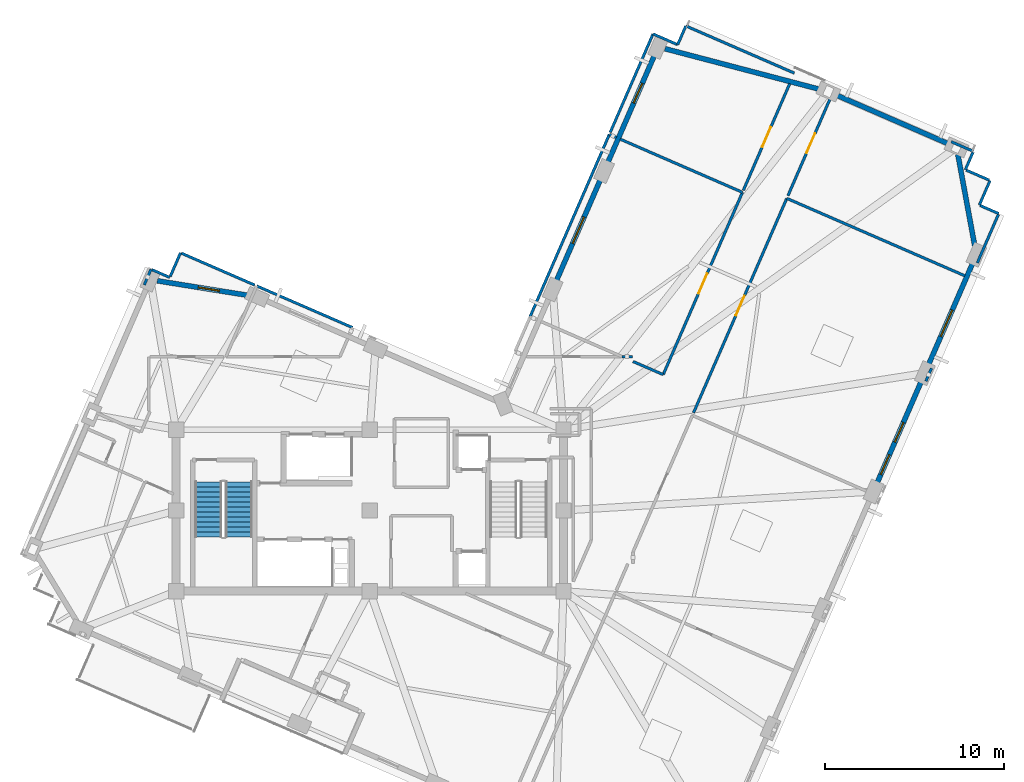
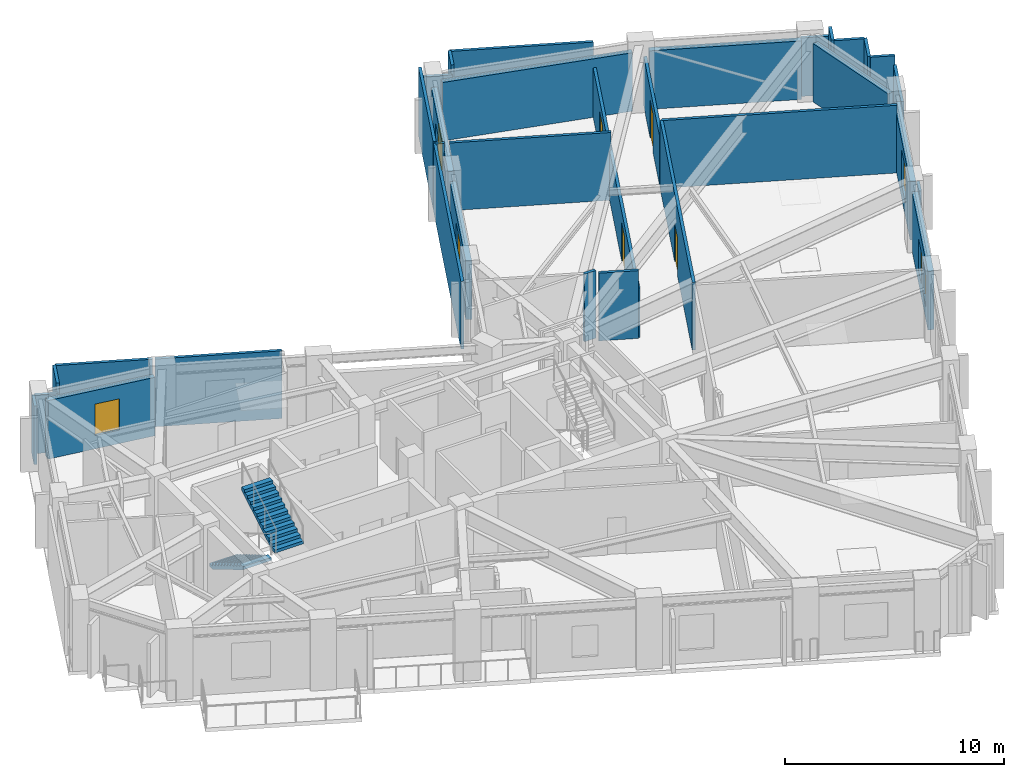
# One storey, part 7 of 12: 34 walls, 6 windows, 4 doors, 2 stair flights, 10 openings, 1 element without a shape of its own.
"""IFC4 building model written with IfcOpenShell, lengths in metres."""

from ifc_helpers import new_model, si_unit, direction, frame, frame_2d, origin, place, context, subcontext, project, spatial, polyline, rectangle, outline, extrude, material, layer, layer_set, type_object, element, fill, aggregate, save


model = new_model("IFC4")

# Units and contexts
model_context = context("Model", 3, precision=1e-05, world=origin(), true_north=direction((0.0, 1.0)))
body_context = subcontext(model_context, "Body", "Model", "MODEL_VIEW")
ifc_project = project(units=[si_unit("LENGTHUNIT", "METRE"), si_unit("AREAUNIT", "SQUARE_METRE"), si_unit("VOLUMEUNIT", "CUBIC_METRE"), si_unit("PLANEANGLEUNIT", "RADIAN"), si_unit("MASSUNIT", "GRAM", prefix="KILO")], contexts=[model_context])

# Site, building, storey
site_placement = place(None, origin())
site = spatial("IfcSite", under=ifc_project, at=site_placement, CompositionType="ELEMENT")
building_placement = place(site_placement, origin())
building = spatial("IfcBuilding", under=site, at=building_placement, Name="Gaonmaruhae Medical Tower", CompositionType="ELEMENT")
storey_placement = place(building_placement, frame((0.0, 0.0, 312.60009765625)))
storey = spatial("IfcBuildingStorey", under=building, at=storey_placement, Name="L75", CompositionType="ELEMENT", Elevation=312.60009765625)

# Wall, openings, windows
ifc_material_1 = material(Name="Precast concrete C45/55", Category="concrete")
ifc_layer_1 = layer(ifc_material_1, 0.280029296875)
ifc_layer_set_1 = layer_set([ifc_layer_1], Name="Precast concrete C45/55")
wall_type_1 = type_object("IfcWallType", Name="EW-280 Upper Precast Masonry-Frame Facade Wall", PredefinedType="SOLIDWALL", material=ifc_layer_set_1)
wall_1_placement = place(storey_placement, frame((55.6005859375, 19.598388671875, 0.0), z_axis=(0.0, 0.0, 1.0), x_axis=(-0.398744230651, -0.917062178112, 0.0)))
wall_1 = element("IfcWall", 1, at=wall_1_placement, inside=storey, type_object=wall_type_1, Name="L75 Precast Masonry-Frame Wall S04-S05", PredefinedType="SOLIDWALL", context=body_context, shape_type="SweptSolid", body=[
    extrude(rectangle(XDim=6.405029296875, YDim=0.280029296875, at=frame_2d((3.20263671875, 0.0))), origin(), (0.0, 0.0, 1.0), 3.264892578125),
])
opening_1_placement = place(wall_1_placement, frame((2.602294921875, 0.0, 0.75)))
opening_1 = element("IfcOpeningElement", 2, at=opening_1_placement, cuts=wall_1, Name="Opening WN-05", PredefinedType="OPENING", context=body_context, shape_type="SweptSolid", body=[
    extrude(rectangle(XDim=1.199951171875, YDim=1.75, at=frame_2d((0.60009765625, 0.875))), frame((0.0, 0.14990234375, 0.0), z_axis=(0.0, -1.0, 0.0), x_axis=(1.0, 0.0, 0.0)), (0.0, 0.0, 1.0), 0.300048828125),
])
opening_2_placement = place(wall_1_placement, frame((4.568603515625, 0.0, 0.75)))
opening_2 = element("IfcOpeningElement", 3, at=opening_2_placement, cuts=wall_1, Name="Opening WN-05", PredefinedType="OPENING", context=body_context, shape_type="SweptSolid", body=[
    extrude(rectangle(XDim=1.199951171875, YDim=1.75, at=frame_2d((0.60009765625, 0.875))), frame((0.0, 0.14990234375, 0.0), z_axis=(0.0, -1.0, 0.0), x_axis=(1.0, 0.0, 0.0)), (0.0, 0.0, 1.0), 0.300048828125),
])
ifc_material_2 = material(Name="Anodised aluminium and Low-E double glazing", Category="aluminium")
window_type_1 = type_object("IfcWindowType", Name="WN-05 Support & Staff Punched Window 1200x1750", PartitioningType="SINGLE_PANEL", PredefinedType="WINDOW", material=ifc_material_2)
window_1_placement = place(opening_1_placement, origin())
window_1 = element("IfcWindow", 4, at=window_1_placement, inside=storey, type_object=window_type_1, Name="L75 Modular Facade Window S04", OverallHeight=1.75, OverallWidth=1.199951171875, PartitioningType="SINGLE_PANEL", PredefinedType="WINDOW", context=body_context, shape_type="SweptSolid", body=[
    extrude(rectangle(XDim=1.199951171875, YDim=1.75, at=frame_2d((0.60009765625, 0.875))), frame((0.0, 0.030029296875, 0.0), z_axis=(0.0, -1.0, 0.0), x_axis=(1.0, 0.0, 0.0)), (0.0, 0.0, 1.0), 0.06005859375),
])
fill(opening_1, window_1)
window_2_placement = place(opening_2_placement, origin())
window_2 = element("IfcWindow", 5, at=window_2_placement, inside=storey, type_object=window_type_1, Name="L75 Modular Facade Window S04B", OverallHeight=1.75, OverallWidth=1.199951171875, PartitioningType="SINGLE_PANEL", PredefinedType="WINDOW", context=body_context, shape_type="SweptSolid", body=[
    extrude(rectangle(XDim=1.199951171875, YDim=1.75, at=frame_2d((0.60009765625, 0.875))), frame((0.0, 0.030029296875, 0.0), z_axis=(0.0, -1.0, 0.0), x_axis=(1.0, 0.0, 0.0)), (0.0, 0.0, 1.0), 0.06005859375),
])
fill(opening_2, window_2)

# Wall, opening, window
wall_2_placement = place(storey_placement, frame((58.4716796875, 26.201171875, 0.0), z_axis=(0.0, 0.0, 1.0), x_axis=(-0.398776286617, -0.917048239316, 0.0)))
wall_2 = element("IfcWall", 6, at=wall_2_placement, inside=storey, type_object=wall_type_1, Name="L75 Precast Masonry-Frame Wall S05-S06", PredefinedType="SOLIDWALL", context=body_context, shape_type="SweptSolid", body=[
    extrude(rectangle(XDim=6.405029296875, YDim=0.280029296875, at=frame_2d((3.20263671875, 0.0))), origin(), (0.0, 0.0, 1.0), 3.264892578125),
])
opening_3_placement = place(wall_2_placement, frame((2.976318359375, 0.0, 0.75)))
opening_3 = element("IfcOpeningElement", 7, at=opening_3_placement, cuts=wall_2, Name="Opening WN-01", PredefinedType="OPENING", context=body_context, shape_type="SweptSolid", body=[
    extrude(rectangle(XDim=1.60009765625, YDim=1.949951171875, at=frame_2d((0.800048828125, 0.97509765625))), frame((0.0, 0.14990234375, 0.0), z_axis=(0.0, -1.0, 0.0), x_axis=(1.0, 0.0, 0.0)), (0.0, 0.0, 1.0), 0.300048828125),
])
window_type_2 = type_object("IfcWindowType", Name="WN-01 Ward Punched Acoustic Window 1600x1950", PartitioningType="SINGLE_PANEL", PredefinedType="WINDOW", material=ifc_material_2)
window_3_placement = place(opening_3_placement, origin())
window_3 = element("IfcWindow", 8, at=window_3_placement, inside=storey, type_object=window_type_2, Name="L75 Modular Facade Window S05", OverallHeight=1.949951171875, OverallWidth=1.60009765625, PartitioningType="SINGLE_PANEL", PredefinedType="WINDOW", context=body_context, shape_type="SweptSolid", body=[
    extrude(rectangle(XDim=1.60009765625, YDim=1.949951171875, at=frame_2d((0.800048828125, 0.97509765625))), frame((0.0, 0.030029296875, 0.0), z_axis=(0.0, -1.0, 0.0), x_axis=(1.0, 0.0, 0.0)), (0.0, 0.0, 1.0), 0.06005859375),
])
fill(opening_3, window_3)

# Walls
wall_3_placement = place(storey_placement, frame((57.597900390625, 32.16162109375, 0.0), z_axis=(0.0, 0.0, 1.0), x_axis=(0.181421889976, -0.983405357845, 0.0)))
element("IfcWall", 9, at=wall_3_placement, inside=storey, type_object=wall_type_1, Name="L75 Precast Masonry-Frame Wall S06-E01", PredefinedType="SOLIDWALL", context=body_context, shape_type="SweptSolid", body=[
    extrude(rectangle(XDim=5.292724609375, YDim=0.280029296875, at=frame_2d((2.646484375, 0.0))), origin(), (0.0, 0.0, 1.0), 3.264892578125),
])
wall_4_placement = place(storey_placement, frame((50.7373046875, 35.50439453125, 0.0), z_axis=(0.0, 0.0, 1.0), x_axis=(0.917057311373, -0.398755423359, 0.0)))
element("IfcWall", 10, at=wall_4_placement, inside=storey, type_object=wall_type_1, Name="L75 Precast Masonry-Frame Wall E01-E02", PredefinedType="SOLIDWALL", context=body_context, shape_type="SweptSolid", body=[
    extrude(rectangle(XDim=7.0048828125, YDim=0.280029296875, at=frame_2d((3.50244140625, 0.0))), origin(), (0.0, 0.0, 1.0), 3.264892578125),
])
wall_5_placement = place(storey_placement, frame((41.263671875, 38.05419921875, 0.0), z_axis=(0.0, 0.0, 1.0), x_axis=(0.967228971308, -0.253905724755, 0.0)))
element("IfcWall", 11, at=wall_5_placement, inside=storey, type_object=wall_type_1, Name="L75 Precast Masonry-Frame Wall E02-E03", PredefinedType="SOLIDWALL", context=body_context, shape_type="SweptSolid", body=[
    extrude(rectangle(XDim=9.020263671875, YDim=0.280029296875, at=frame_2d((4.51025390625, 0.0))), origin(), (0.0, 0.0, 1.0), 3.264892578125),
])

# Wall, opening, window
wall_6_placement = place(storey_placement, frame((38.027099609375, 31.595947265625, 0.0), z_axis=(0.0, 0.0, 1.0), x_axis=(0.398764437463, 0.917053391802, 0.0)))
wall_6 = element("IfcWall", 12, at=wall_6_placement, inside=storey, type_object=wall_type_1, Name="L75 Precast Masonry-Frame Wall E03-EN01", PredefinedType="SOLIDWALL", context=body_context, shape_type="SweptSolid", body=[
    extrude(rectangle(XDim=6.7548828125, YDim=0.280029296875, at=frame_2d((3.37744140625, 0.0))), origin(), (0.0, 0.0, 1.0), 3.264892578125),
])
opening_4_placement = place(wall_6_placement, frame((3.738037109375, 0.0, 0.75)))
opening_4 = element("IfcOpeningElement", 13, at=opening_4_placement, cuts=wall_6, Name="Opening WN-05", PredefinedType="OPENING", context=body_context, shape_type="SweptSolid", body=[
    extrude(rectangle(XDim=1.199951171875, YDim=1.75, at=frame_2d((0.60009765625, 0.875))), frame((0.0, 0.14990234375, 0.0), z_axis=(0.0, -1.0, 0.0), x_axis=(1.0, 0.0, 0.0)), (0.0, 0.0, 1.0), 0.300048828125),
])
window_4_placement = place(opening_4_placement, origin())
window_4 = element("IfcWindow", 14, at=window_4_placement, inside=storey, type_object=window_type_1, Name="L75 Modular Facade Window E03", OverallHeight=1.75, OverallWidth=1.199951171875, PartitioningType="SINGLE_PANEL", PredefinedType="WINDOW", context=body_context, shape_type="SweptSolid", body=[
    extrude(rectangle(XDim=1.199951171875, YDim=1.75, at=frame_2d((0.60009765625, 0.875))), frame((0.0, 0.030029296875, 0.0), z_axis=(0.0, -1.0, 0.0), x_axis=(1.0, 0.0, 0.0)), (0.0, 0.0, 1.0), 0.06005859375),
])
fill(opening_4, window_4)

wall_7_placement = place(storey_placement, frame((35.156005859375, 24.9931640625, 0.0), z_axis=(0.0, 0.0, 1.0), x_axis=(0.398758169539, 0.917056117272, 0.0)))
wall_7 = element("IfcWall", 15, at=wall_7_placement, inside=storey, type_object=wall_type_1, Name="L75 Precast Masonry-Frame Wall EN01-EN02", PredefinedType="SOLIDWALL", context=body_context, shape_type="SweptSolid", body=[
    extrude(rectangle(XDim=6.40478515625, YDim=0.280029296875, at=frame_2d((3.202392578125, 0.0))), origin(), (0.0, 0.0, 1.0), 3.264892578125),
])
opening_5_placement = place(wall_7_placement, frame((2.40234375, 0.0, 0.75)))
opening_5 = element("IfcOpeningElement", 16, at=opening_5_placement, cuts=wall_7, Name="Opening WN-01", PredefinedType="OPENING", context=body_context, shape_type="SweptSolid", body=[
    extrude(rectangle(XDim=1.60009765625, YDim=1.949951171875, at=frame_2d((0.800048828125, 0.97509765625))), frame((0.0, 0.14990234375, 0.0), z_axis=(0.0, -1.0, 0.0), x_axis=(1.0, 0.0, 0.0)), (0.0, 0.0, 1.0), 0.300048828125),
])
window_5_placement = place(opening_5_placement, origin())
window_5 = element("IfcWindow", 17, at=window_5_placement, inside=storey, type_object=window_type_2, Name="L75 Modular Facade Window EN01", OverallHeight=1.949951171875, OverallWidth=1.60009765625, PartitioningType="SINGLE_PANEL", PredefinedType="WINDOW", context=body_context, shape_type="SweptSolid", body=[
    extrude(rectangle(XDim=1.60009765625, YDim=1.949951171875, at=frame_2d((0.800048828125, 0.97509765625))), frame((0.0, 0.030029296875, 0.0), z_axis=(0.0, -1.0, 0.0), x_axis=(1.0, 0.0, 0.0)), (0.0, 0.0, 1.0), 0.06005859375),
])
fill(opening_5, window_5)

wall_8_placement = place(storey_placement, frame((12.94580078125, 25.1103515625, 0.0), z_axis=(0.0, 0.0, 1.0), x_axis=(0.987363821305, -0.158469821666, 0.0)))
wall_8 = element("IfcWall", 18, at=wall_8_placement, inside=storey, type_object=wall_type_1, Name="L75 Precast Masonry-Frame Wall NE02-N01", PredefinedType="SOLIDWALL", context=body_context, shape_type="SweptSolid", body=[
    extrude(rectangle(XDim=5.244140625, YDim=0.280029296875, at=frame_2d((2.6220703125, 0.0))), origin(), (0.0, 0.0, 1.0), 3.264892578125),
])
opening_6_placement = place(wall_8_placement, frame((2.313720703125, 0.0, 0.75)))
opening_6 = element("IfcOpeningElement", 19, at=opening_6_placement, cuts=wall_8, Name="Opening WN-05", PredefinedType="OPENING", context=body_context, shape_type="SweptSolid", body=[
    extrude(rectangle(XDim=1.199951171875, YDim=1.75, at=frame_2d((0.60009765625, 0.875))), frame((0.0, 0.14990234375, 0.0), z_axis=(0.0, -1.0, 0.0), x_axis=(1.0, 0.0, 0.0)), (0.0, 0.0, 1.0), 0.300048828125),
])
window_6_placement = place(opening_6_placement, origin())
window_6 = element("IfcWindow", 20, at=window_6_placement, inside=storey, type_object=window_type_1, Name="L75 Modular Facade Window NE02", OverallHeight=1.75, OverallWidth=1.199951171875, PartitioningType="SINGLE_PANEL", PredefinedType="WINDOW", context=body_context, shape_type="SweptSolid", body=[
    extrude(rectangle(XDim=1.199951171875, YDim=1.75, at=frame_2d((0.60009765625, 0.875))), frame((0.0, 0.030029296875, 0.0), z_axis=(0.0, -1.0, 0.0), x_axis=(1.0, 0.0, 0.0)), (0.0, 0.0, 1.0), 0.06005859375),
])
fill(opening_6, window_6)

# Wall, opening, door
ifc_material_3 = material(Name="Gypsum board partition", Category="gypsum")
ifc_layer_2 = layer(ifc_material_3, 0.14990234375)
ifc_layer_set_2 = layer_set([ifc_layer_2], Name="Gypsum board partition")
wall_type_2 = type_object("IfcWallType", Name="PW-150 Rated Clinical Corridor Partition", PredefinedType="PARTITIONING", material=ifc_layer_set_2)
wall_9_placement = place(storey_placement, frame((42.85595703125, 17.7490234375, 0.0), z_axis=(0.0, 0.0, 1.0), x_axis=(0.398751440491, 0.917059043195, 0.0)))
wall_9 = element("IfcWall", 21, at=wall_9_placement, inside=storey, type_object=wall_type_2, Name="L75 Interior Partition L75-SUP03-21", PredefinedType="PARTITIONING", context=body_context, shape_type="SweptSolid", body=[
    extrude(rectangle(XDim=13.04052734375, YDim=0.14990234375, at=frame_2d((6.520263671875, 0.0))), origin(), (0.0, 0.0, 1.0), 3.77978515625),
])
opening_7_placement = place(wall_9_placement, frame((5.92041015625, 0.0, 0.0)))
opening_7 = element("IfcOpeningElement", 22, at=opening_7_placement, cuts=wall_9, Name="Opening CD-02", PredefinedType="OPENING", context=body_context, shape_type="SweptSolid", body=[
    extrude(rectangle(XDim=1.199951171875, YDim=2.14990234375, at=frame_2d((0.60009765625, 1.074951171875))), frame((0.0, 0.0849609375, 0.0), z_axis=(0.0, -1.0, 0.0), x_axis=(1.0, 0.0, 0.0)), (0.0, 0.0, 1.0), 0.169921875),
])
ifc_material_4 = material(Name="Antimicrobial laminate timber fire door", Category="wood")
door_type = type_object("IfcDoorType", Name="CD-02 Clinical Treatment & Procedure Door 1200x2150", OperationType="NOTDEFINED", PredefinedType="DOOR", material=ifc_material_4)
door_1_placement = place(opening_7_placement, origin())
door_1 = element("IfcDoor", 23, at=door_1_placement, inside=storey, type_object=door_type, Name="L75 Clinical Biomedical Charting Office Door", OperationType="SINGLE_SWING_LEFT", OverallHeight=2.14990234375, OverallWidth=1.199951171875, PredefinedType="DOOR", context=body_context, shape_type="SweptSolid", body=[
    extrude(rectangle(XDim=1.199951171875, YDim=2.14990234375, at=frame_2d((0.60009765625, 1.074951171875))), frame((0.0, 0.02490234375, 0.0), z_axis=(0.0, -1.0, 0.0), x_axis=(1.0, 0.0, 0.0)), (0.0, 0.0, 1.0), 0.050048828125),
])
fill(opening_7, door_1)

# Walls
wall_10_placement = place(storey_placement, frame((48.055908203125, 29.7080078125, 0.0), z_axis=(0.0, 0.0, 1.0), x_axis=(0.917068265028, -0.398730231207, 0.0)))
element("IfcWall", 24, at=wall_10_placement, inside=storey, type_object=wall_type_2, Name="L75 Interior Partition L75-SUP03-22", PredefinedType="PARTITIONING", context=body_context, shape_type="SweptSolid", body=[
    extrude(rectangle(XDim=10.83447265625, YDim=0.14990234375, at=frame_2d((5.417236328125, 0.0))), origin(), (0.0, 0.0, 1.0), 3.77978515625),
])
wall_11_placement = place(storey_placement, frame((56.12890625, 20.236083984375, 0.0), z_axis=(0.0, 0.0, 1.0), x_axis=(-0.398658726612, -0.91709935105, 0.0)))
element("IfcWall", 25, at=wall_11_placement, inside=storey, type_object=wall_type_2, Name="L75 Interior Partition L75-SUP03-23", PredefinedType="PARTITIONING", context=body_context, shape_type="SweptSolid", body=[
    extrude(rectangle(XDim=0.794921875, YDim=0.14990234375, at=frame_2d((0.3974609375, 0.0))), origin(), (0.0, 0.0, 1.0), 3.264892578125),
])
wall_12_placement = place(storey_placement, frame((59.39404296875, 30.7041015625, 0.0), z_axis=(0.0, 0.0, 1.0), x_axis=(-0.398904712107, -0.916992383097, 0.0)))
element("IfcWall", 26, at=wall_12_placement, inside=storey, type_object=wall_type_2, Name="L75 Interior Partition L75-SUP04-24", PredefinedType="PARTITIONING", context=body_context, shape_type="SweptSolid", body=[
    extrude(rectangle(XDim=1.49951171875, YDim=0.14990234375, at=frame_2d((0.749755859375, 0.0))), origin(), (0.0, 0.0, 1.0), 3.77978515625),
])
wall_13_placement = place(storey_placement, frame((58.842041015625, 29.30908203125, 0.0), z_axis=(0.0, 0.0, 1.0), x_axis=(0.916815661373, -0.399310709926, 0.0)))
element("IfcWall", 27, at=wall_13_placement, inside=storey, type_object=wall_type_2, Name="L75 Interior Partition L75-SUP04-25", PredefinedType="PARTITIONING", context=body_context, shape_type="SweptSolid", body=[
    extrude(rectangle(XDim=1.1298828125, YDim=0.14990234375, at=frame_2d((0.56494140625, 0.0))), origin(), (0.0, 0.0, 1.0), 3.77978515625),
])
wall_14_placement = place(storey_placement, frame((59.85791015625, 28.81201171875, 0.0), z_axis=(0.0, 0.0, 1.0), x_axis=(-0.399092651862, -0.916910603728, 0.0)))
element("IfcWall", 28, at=wall_14_placement, inside=storey, type_object=wall_type_2, Name="L75 Interior Partition L75-SUP04-26", PredefinedType="PARTITIONING", context=body_context, shape_type="SweptSolid", body=[
    extrude(rectangle(XDim=2.94677734375, YDim=0.14990234375, at=frame_2d((1.473388671875, 0.0))), origin(), (0.0, 0.0, 1.0), 3.264892578125),
])

# Wall, opening, door
wall_15_placement = place(storey_placement, frame((48.1201171875, 29.85400390625, 0.0), z_axis=(0.0, 0.0, 1.0), x_axis=(0.398700984872, 0.917080980428, 0.0)))
wall_15 = element("IfcWall", 29, at=wall_15_placement, inside=storey, type_object=wall_type_2, Name="L75 Interior Partition L75-SUP04-27", PredefinedType="PARTITIONING", context=body_context, shape_type="SweptSolid", body=[
    extrude(rectangle(XDim=6.395263671875, YDim=0.14990234375, at=frame_2d((3.19775390625, 0.0))), origin(), (0.0, 0.0, 1.0), 2.764892578125),
])
opening_8_placement = place(wall_15_placement, frame((2.59765625, 0.0, 0.0)))
opening_8 = element("IfcOpeningElement", 30, at=opening_8_placement, cuts=wall_15, Name="Opening CD-02", PredefinedType="OPENING", context=body_context, shape_type="SweptSolid", body=[
    extrude(rectangle(XDim=1.199951171875, YDim=2.14990234375, at=frame_2d((0.60009765625, 1.074951171875))), frame((0.0, 0.0849609375, 0.0), z_axis=(0.0, -1.0, 0.0), x_axis=(1.0, 0.0, 0.0)), (0.0, 0.0, 1.0), 0.169921875),
])
door_2_placement = place(opening_8_placement, origin())
door_2 = element("IfcDoor", 31, at=door_2_placement, inside=storey, type_object=door_type, Name="L75 Clinical Biomedical Charting Office Door", OperationType="SINGLE_SWING_LEFT", OverallHeight=2.14990234375, OverallWidth=1.199951171875, PredefinedType="DOOR", context=body_context, shape_type="SweptSolid", body=[
    extrude(rectangle(XDim=1.199951171875, YDim=2.14990234375, at=frame_2d((0.60009765625, 1.074951171875))), frame((0.0, 0.02490234375, 0.0), z_axis=(0.0, -1.0, 0.0), x_axis=(1.0, 0.0, 0.0)), (0.0, 0.0, 1.0), 0.050048828125),
])
fill(opening_8, door_2)

# Walls
wall_16_placement = place(storey_placement, frame((57.22900390625, 32.866943359375, 0.0), z_axis=(0.0, 0.0, 1.0), x_axis=(0.917222637379, -0.398374991032, 0.0)))
element("IfcWall", 32, at=wall_16_placement, inside=storey, type_object=wall_type_2, Name="L75 Interior Partition L75-SUP04-28", PredefinedType="PARTITIONING", context=body_context, shape_type="SweptSolid", body=[
    extrude(rectangle(XDim=1.34765625, YDim=0.14990234375, at=frame_2d((0.673828125, 0.0))), origin(), (0.0, 0.0, 1.0), 3.264892578125),
])
wall_17_placement = place(storey_placement, frame((58.445068359375, 32.283935546875, 0.0), z_axis=(0.0, 0.0, 1.0), x_axis=(-0.39911825621, -0.916899458807, 0.0)))
element("IfcWall", 33, at=wall_17_placement, inside=storey, type_object=wall_type_2, Name="L75 Interior Partition L75-SUP04-29", PredefinedType="PARTITIONING", context=body_context, shape_type="SweptSolid", body=[
    extrude(rectangle(XDim=1.06982421875, YDim=0.14990234375, at=frame_2d((0.534912109375, 0.0))), origin(), (0.0, 0.0, 1.0), 3.77978515625),
])
wall_18_placement = place(storey_placement, frame((58.06396484375, 31.282958984375, 0.0), z_axis=(0.0, 0.0, 1.0), x_axis=(0.91691198731, -0.399089473085, 0.0)))
element("IfcWall", 34, at=wall_18_placement, inside=storey, type_object=wall_type_2, Name="L75 Interior Partition L75-SUP04-30", PredefinedType="PARTITIONING", context=body_context, shape_type="SweptSolid", body=[
    extrude(rectangle(XDim=1.400390625, YDim=0.14990234375, at=frame_2d((0.7001953125, 0.0))), origin(), (0.0, 0.0, 1.0), 3.77978515625),
])
wall_19_placement = place(storey_placement, frame((39.449951171875, 20.8798828125, 0.0), z_axis=(0.0, 0.0, 1.0), x_axis=(-1.0, 0.0, 0.0)))
element("IfcWall", 35, at=wall_19_placement, inside=storey, type_object=wall_type_2, Name="L75 Interior Partition L75-IE02-61", PredefinedType="PARTITIONING", context=body_context, shape_type="SweptSolid", body=[
    extrude(rectangle(XDim=0.58984375, YDim=0.14990234375, at=frame_2d((0.294921875, 0.0))), origin(), (0.0, 0.0, 1.0), 3.77978515625),
])
wall_20_placement = place(storey_placement, frame((33.736083984375, 23.10791015625, 0.0), z_axis=(0.0, 0.0, 1.0), x_axis=(0.398761541239, 0.917054651168, 0.0)))
element("IfcWall", 36, at=wall_20_placement, inside=storey, type_object=wall_type_2, Name="L75 Interior Partition L75-IE02-64", PredefinedType="PARTITIONING", context=body_context, shape_type="SweptSolid", body=[
    extrude(rectangle(XDim=11.086669921875, YDim=0.14990234375, at=frame_2d((5.54345703125, 0.0))), origin(), (0.0, 0.0, 1.0), 3.77978515625),
])
wall_21_placement = place(storey_placement, frame((38.156982421875, 33.27490234375, 0.0), z_axis=(0.0, 0.0, 1.0), x_axis=(0.916748651636, -0.399464528742, 0.0)))
element("IfcWall", 37, at=wall_21_placement, inside=storey, type_object=wall_type_2, Name="L75 Interior Partition L75-IE02-65", PredefinedType="PARTITIONING", context=body_context, shape_type="SweptSolid", body=[
    extrude(rectangle(XDim=0.43505859375, YDim=0.14990234375, at=frame_2d((0.217529296875, 0.0))), origin(), (0.0, 0.0, 1.0), 3.77978515625),
])
wall_22_placement = place(storey_placement, frame((38.76708984375, 33.010009765625, 0.0), z_axis=(0.0, 0.0, 1.0), x_axis=(0.917030896956, -0.398816165707, 0.0)))
element("IfcWall", 38, at=wall_22_placement, inside=storey, type_object=wall_type_2, Name="L75 Interior Partition L75-IE02-66", PredefinedType="PARTITIONING", context=body_context, shape_type="SweptSolid", body=[
    extrude(rectangle(XDim=7.434814453125, YDim=0.14990234375, at=frame_2d((3.71728515625, 0.0))), origin(), (0.0, 0.0, 1.0), 3.77978515625),
])

# Wall, opening, door
wall_23_placement = place(storey_placement, frame((45.5849609375, 30.044921875, 0.0), z_axis=(0.0, 0.0, 1.0), x_axis=(-0.398687458661, -0.91708686083, 0.0)))
wall_23 = element("IfcWall", 39, at=wall_23_placement, inside=storey, type_object=wall_type_2, Name="L75 Interior Partition L75-IE02-67", PredefinedType="PARTITIONING", context=body_context, shape_type="SweptSolid", body=[
    extrude(rectangle(XDim=11.086181640625, YDim=0.14990234375, at=frame_2d((5.54296875, 0.0))), origin(), (0.0, 0.0, 1.0), 2.764892578125),
])
opening_9_placement = place(wall_23_placement, frame((4.943115234375, 0.0, 0.0)))
opening_9 = element("IfcOpeningElement", 40, at=opening_9_placement, cuts=wall_23, Name="Opening CD-02", PredefinedType="OPENING", context=body_context, shape_type="SweptSolid", body=[
    extrude(rectangle(XDim=1.199951171875, YDim=2.14990234375, at=frame_2d((0.60009765625, 1.074951171875))), frame((0.0, 0.0849609375, 0.0), z_axis=(0.0, -1.0, 0.0), x_axis=(1.0, 0.0, 0.0)), (0.0, 0.0, 1.0), 0.169921875),
])
door_3_placement = place(opening_9_placement, origin())
door_3 = element("IfcDoor", 41, at=door_3_placement, inside=storey, type_object=door_type, Name="L75 Acute Treatment Examination Room Door", OperationType="SINGLE_SWING_RIGHT", OverallHeight=2.14990234375, OverallWidth=1.199951171875, PredefinedType="DOOR", context=body_context, shape_type="SweptSolid", body=[
    extrude(rectangle(XDim=1.199951171875, YDim=2.14990234375, at=frame_2d((0.60009765625, 1.074951171875))), frame((0.0, 0.02490234375, 0.0), z_axis=(0.0, -1.0, 0.0), x_axis=(1.0, 0.0, 0.0)), (0.0, 0.0, 1.0), 0.050048828125),
])
fill(opening_9, door_3)

# Walls
wall_24_placement = place(storey_placement, frame((41.1650390625, 19.8779296875, 0.0), z_axis=(0.0, 0.0, 1.0), x_axis=(-0.917160874805, 0.398517163654, 0.0)))
element("IfcWall", 42, at=wall_24_placement, inside=storey, type_object=wall_type_2, Name="L75 Interior Partition L75-IE02-68", PredefinedType="PARTITIONING", context=body_context, shape_type="SweptSolid", body=[
    extrude(rectangle(XDim=1.837158203125, YDim=0.14990234375, at=frame_2d((0.91845703125, 0.0))), origin(), (0.0, 0.0, 1.0), 3.77978515625),
])
wall_25_placement = place(storey_placement, frame((41.969970703125, 38.281005859375, 0.0), z_axis=(0.0, 0.0, 1.0), x_axis=(0.398569395059, 0.917138177878, 0.0)))
element("IfcWall", 43, at=wall_25_placement, inside=storey, type_object=wall_type_2, Name="L75 Interior Partition L75-IE03-69", PredefinedType="PARTITIONING", context=body_context, shape_type="SweptSolid", body=[
    extrude(rectangle(XDim=1.139404296875, YDim=0.14990234375, at=frame_2d((0.56982421875, 0.0))), origin(), (0.0, 0.0, 1.0), 3.77978515625),
])
wall_26_placement = place(storey_placement, frame((42.424072265625, 39.325927734375, 0.0), z_axis=(0.0, 0.0, 1.0), x_axis=(0.917064175576, -0.3987396367, 0.0)))
element("IfcWall", 44, at=wall_26_placement, inside=storey, type_object=wall_type_2, Name="L75 Interior Partition L75-IE03-70", PredefinedType="PARTITIONING", context=body_context, shape_type="SweptSolid", body=[
    extrude(rectangle(XDim=6.600341796875, YDim=0.14990234375, at=frame_2d((3.30029296875, 0.0))), origin(), (0.0, 0.0, 1.0), 3.77978515625),
])

# Wall, opening, door
wall_27_placement = place(storey_placement, frame((48.221923828125, 36.10791015625, 0.0), z_axis=(0.0, 0.0, 1.0), x_axis=(-0.398811373886, -0.9170329809, 0.0)))
wall_27 = element("IfcWall", 45, at=wall_27_placement, inside=storey, type_object=wall_type_2, Name="L75 Interior Partition L75-IE03-71", PredefinedType="PARTITIONING", context=body_context, shape_type="SweptSolid", body=[
    extrude(rectangle(XDim=6.491455078125, YDim=0.14990234375, at=frame_2d((3.24560546875, 0.0))), origin(), (0.0, 0.0, 1.0), 2.764892578125),
])
opening_10_placement = place(wall_27_placement, frame((2.645751953125, 0.0, 0.0)))
opening_10 = element("IfcOpeningElement", 46, at=opening_10_placement, cuts=wall_27, Name="Opening CD-02", PredefinedType="OPENING", context=body_context, shape_type="SweptSolid", body=[
    extrude(rectangle(XDim=1.199951171875, YDim=2.14990234375, at=frame_2d((0.60009765625, 1.074951171875))), frame((0.0, 0.0849609375, 0.0), z_axis=(0.0, -1.0, 0.0), x_axis=(1.0, 0.0, 0.0)), (0.0, 0.0, 1.0), 0.169921875),
])
door_4_placement = place(opening_10_placement, origin())
door_4 = element("IfcDoor", 47, at=door_4_placement, inside=storey, type_object=door_type, Name="L75 Clean Medication Preparation Room Door", OperationType="SINGLE_SWING_RIGHT", OverallHeight=2.14990234375, OverallWidth=1.199951171875, PredefinedType="DOOR", context=body_context, shape_type="SweptSolid", body=[
    extrude(rectangle(XDim=1.199951171875, YDim=2.14990234375, at=frame_2d((0.60009765625, 1.074951171875))), frame((0.0, 0.02490234375, 0.0), z_axis=(0.0, -1.0, 0.0), x_axis=(1.0, 0.0, 0.0)), (0.0, 0.0, 1.0), 0.050048828125),
])
fill(opening_10, door_4)

# Walls
wall_28_placement = place(storey_placement, frame((38.205078125, 33.385009765625, 0.0), z_axis=(0.0, 0.0, 1.0), x_axis=(0.398763364975, 0.917053858153, 0.0)))
element("IfcWall", 48, at=wall_28_placement, inside=storey, type_object=wall_type_2, Name="L75 Interior Partition L75-IE03-72", PredefinedType="PARTITIONING", context=body_context, shape_type="SweptSolid", body=[
    extrude(rectangle(XDim=5.99072265625, YDim=0.14990234375, at=frame_2d((2.995361328125, 0.0))), origin(), (0.0, 0.0, 1.0), 3.77978515625),
])
wall_29_placement = place(storey_placement, frame((40.593994140625, 38.87890625, 0.0), z_axis=(0.0, 0.0, 1.0), x_axis=(0.91715541112, -0.398529737728, 0.0)))
element("IfcWall", 49, at=wall_29_placement, inside=storey, type_object=wall_type_2, Name="L75 Interior Partition L75-IE03-73", PredefinedType="PARTITIONING", context=body_context, shape_type="SweptSolid", body=[
    extrude(rectangle(XDim=1.500244140625, YDim=0.14990234375, at=frame_2d((0.75, 0.0))), origin(), (0.0, 0.0, 1.0), 3.264892578125),
])
wall_30_placement = place(storey_placement, frame((18.491943359375, 24.825927734375, 0.0), z_axis=(0.0, 0.0, 1.0), x_axis=(0.917125302545, -0.398599020862, 0.0)))
element("IfcWall", 50, at=wall_30_placement, inside=storey, type_object=wall_type_2, Name="L75 Interior Partition L75-IN02-74", PredefinedType="PARTITIONING", context=body_context, shape_type="SweptSolid", body=[
    extrude(rectangle(XDim=5.830322265625, YDim=0.14990234375, at=frame_2d((2.9150390625, 0.0))), origin(), (0.0, 0.0, 1.0), 3.77978515625),
])
wall_31_placement = place(storey_placement, frame((12.219970703125, 24.885009765625, 0.0), z_axis=(0.0, 0.0, 1.0), x_axis=(0.399235297463, 0.916848502894, 0.0)))
element("IfcWall", 51, at=wall_31_placement, inside=storey, type_object=wall_type_2, Name="L75 Interior Partition L75-IN03-82", PredefinedType="PARTITIONING", context=body_context, shape_type="SweptSolid", body=[
    extrude(rectangle(XDim=0.946533203125, YDim=0.14990234375, at=frame_2d((0.47314453125, 0.0))), origin(), (0.0, 0.0, 1.0), 3.264892578125),
])
wall_32_placement = place(storey_placement, frame((12.64404296875, 25.73291015625, 0.0), z_axis=(0.0, 0.0, 1.0), x_axis=(0.9173866736, -0.397997099362, 0.0)))
element("IfcWall", 52, at=wall_32_placement, inside=storey, type_object=wall_type_2, Name="L75 Interior Partition L75-IN03-83", PredefinedType="PARTITIONING", context=body_context, shape_type="SweptSolid", body=[
    extrude(rectangle(XDim=1.090087890625, YDim=0.14990234375, at=frame_2d((0.544921875, 0.0))), origin(), (0.0, 0.0, 1.0), 3.264892578125),
])
wall_33_placement = place(storey_placement, frame((13.6640625, 25.344970703125, 0.0), z_axis=(0.0, 0.0, 1.0), x_axis=(0.398732271116, 0.917067378097, 0.0)))
element("IfcWall", 53, at=wall_33_placement, inside=storey, type_object=wall_type_2, Name="L75 Interior Partition L75-IN03-84", PredefinedType="PARTITIONING", context=body_context, shape_type="SweptSolid", body=[
    extrude(rectangle(XDim=1.44921875, YDim=0.14990234375, at=frame_2d((0.724609375, 0.0))), origin(), (0.0, 0.0, 1.0), 3.77978515625),
])
wall_34_placement = place(storey_placement, frame((14.2880859375, 26.654052734375, 0.0), z_axis=(0.0, 0.0, 1.0), x_axis=(0.91706744789, -0.398732110595, 0.0)))
element("IfcWall", 54, at=wall_34_placement, inside=storey, type_object=wall_type_2, Name="L75 Interior Partition L75-IN03-85", PredefinedType="PARTITIONING", context=body_context, shape_type="SweptSolid", body=[
    extrude(rectangle(XDim=4.464111328125, YDim=0.14990234375, at=frame_2d((2.23193359375, 0.0))), origin(), (0.0, 0.0, 1.0), 3.77978515625),
])

# Stair, stair flights
ifc_material_5 = material(Name="Concrete C40/50", Category="concrete")
stair_type = type_object("IfcStairType", Name="ST-T1 Primary Core Escape Dogleg Stair", PredefinedType="TWO_QUARTER_TURN_STAIR", material=ifc_material_5)
stair_placement = place(storey_placement, origin())
stair = element("IfcStair", 55, at=stair_placement, inside=storey, type_object=stair_type, Name="L75 Protected Escape Stair ST-01", PredefinedType="TWO_QUARTER_TURN_STAIR")
stair_flight_type = type_object("IfcStairFlightType", Name="SF-T1 Primary Core Precast Stair Flight", PredefinedType="STRAIGHT", material=ifc_material_5)
stair_flight_1_placement = place(storey_placement, frame((15.800048828125, 13.89990234375, 0.0), z_axis=(0.0, 0.0, 1.0), x_axis=(0.0, -1.0, 0.0)))
stair_flight_1 = element("IfcStairFlight", 56, at=stair_flight_1_placement, type_object=stair_flight_type, Name="ST-01 flight 1", NumberOfRisers=12, NumberOfTreads=11, PredefinedType="STRAIGHT", RiserHeight=0.166666667, TreadLength=0.28, context=body_context, shape_type="SweptSolid", body=[
    extrude(outline(polyline([(0.0, 0.0), (0.0, 0.166748046875), (0.280029296875, 0.166748046875), (0.280029296875, 0.333251953125), (0.56005859375, 0.333251953125), (0.56005859375, 0.5), (0.840087890625, 0.5), (0.840087890625, 0.666748046875), (1.1201171875, 0.666748046875), (1.1201171875, 0.833251953125), (1.39990234375, 0.833251953125), (1.39990234375, 1.0), (1.679931640625, 1.0), (1.679931640625, 1.166748046875), (1.9599609375, 1.166748046875), (1.9599609375, 1.333251953125), (2.239990234375, 1.333251953125), (2.239990234375, 1.5), (2.52001953125, 1.5), (2.52001953125, 1.666748046875), (2.800048828125, 1.666748046875), (2.800048828125, 1.833251953125), (3.080078125, 1.833251953125), (3.080078125, 2.0), (3.080078125, 1.658935546875), (0.29296875, 0.0), (0.0, 0.0)])), frame((0.0, 0.75, 0.0), z_axis=(0.0, -1.0, 0.0), x_axis=(1.0, 0.0, 0.0)), (0.0, 0.0, 1.0), 1.5),
])
stair_flight_2_placement = place(storey_placement, frame((17.5, 10.820068359375, 2.0), z_axis=(0.0, 0.0, 1.0), x_axis=(0.0, 1.0, 0.0)))
stair_flight_2 = element("IfcStairFlight", 57, at=stair_flight_2_placement, type_object=stair_flight_type, Name="ST-01 flight 2", NumberOfRisers=12, NumberOfTreads=11, PredefinedType="STRAIGHT", RiserHeight=0.166666667, TreadLength=0.28, context=body_context, shape_type="SweptSolid", body=[
    extrude(outline(polyline([(0.0, 0.0), (0.0, 0.166748046875), (0.280029296875, 0.166748046875), (0.280029296875, 0.333251953125), (0.56005859375, 0.333251953125), (0.56005859375, 0.5), (0.840087890625, 0.5), (0.840087890625, 0.666748046875), (1.1201171875, 0.666748046875), (1.1201171875, 0.833251953125), (1.39990234375, 0.833251953125), (1.39990234375, 1.0), (1.679931640625, 1.0), (1.679931640625, 1.166748046875), (1.9599609375, 1.166748046875), (1.9599609375, 1.333251953125), (2.239990234375, 1.333251953125), (2.239990234375, 1.5), (2.52001953125, 1.5), (2.52001953125, 1.666748046875), (2.800048828125, 1.666748046875), (2.800048828125, 1.833251953125), (3.080078125, 1.833251953125), (3.080078125, 2.0), (3.080078125, 1.658935546875), (0.29296875, 0.0), (0.0, 0.0)])), frame((0.0, 0.75, 0.0), z_axis=(0.0, -1.0, 0.0), x_axis=(1.0, 0.0, 0.0)), (0.0, 0.0, 1.0), 1.5),
])
aggregate(stair, [stair_flight_1, stair_flight_2])

save(model, "model.ifc")
